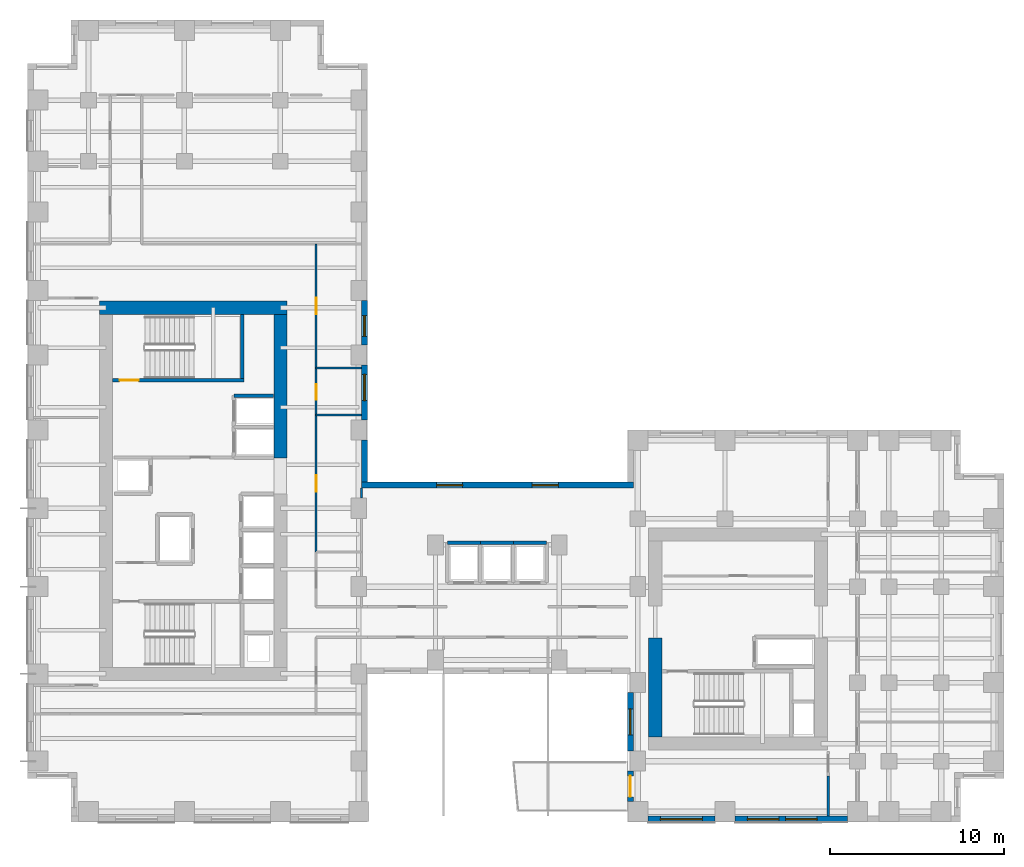
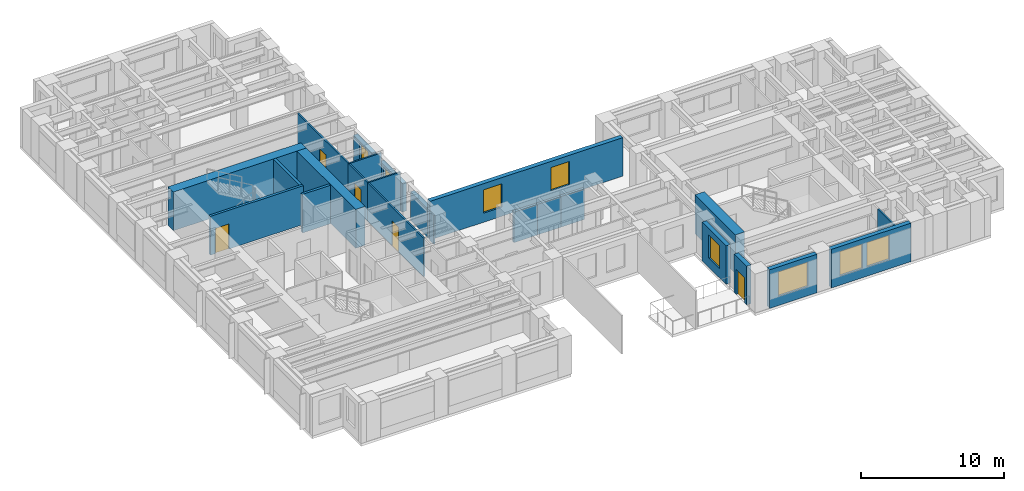
# One storey, part 6 of 12: 24 walls, 8 windows, 5 doors, 13 openings.
"""IFC4 building model written with IfcOpenShell, lengths in metres."""

from ifc_helpers import new_model, si_unit, direction, frame, frame_2d, origin, place, context, subcontext, project, spatial, rectangle, extrude, source, transform, mapped, material, layer, layer_set, type_object, element, fill, save


model = new_model("IFC4")

# Units and contexts
model_context = context("Model", 3, precision=1e-05, world=origin(), true_north=direction((0.0, 1.0)))
body_context = subcontext(model_context, "Body", "Model", "MODEL_VIEW")
ifc_project = project(units=[si_unit("LENGTHUNIT", "METRE"), si_unit("AREAUNIT", "SQUARE_METRE"), si_unit("VOLUMEUNIT", "CUBIC_METRE"), si_unit("PLANEANGLEUNIT", "RADIAN"), si_unit("MASSUNIT", "GRAM", prefix="KILO")], contexts=[model_context])

# Site, building, storey
site_placement = place(None, origin())
site = spatial("IfcSite", under=ifc_project, at=site_placement, CompositionType="ELEMENT")
building_placement = place(site_placement, origin())
building = spatial("IfcBuilding", under=site, at=building_placement, Name="Kharzan Plaza Tower", CompositionType="ELEMENT")
storey_placement = place(building_placement, frame((0.0, 0.0, 135.0)))
storey = spatial("IfcBuildingStorey", under=building, at=storey_placement, Name="L36", CompositionType="ELEMENT", Elevation=135.0)

# Wall, opening, window
ifc_material_1 = material(Name="Concrete C40/50", Category="concrete")
ifc_layer_1 = layer(ifc_material_1, 0.35009765625)
ifc_layer_set_1 = layer_set([ifc_layer_1], Name="Concrete C40/50")
wall_type_1 = type_object("IfcWallType", Name="WL-EXT-MAS-Z2", PredefinedType="SOLIDWALL", material=ifc_layer_set_1)
wall_1_placement = place(storey_placement, frame((19.324951171875, 23.072998046875, 0.0), z_axis=(0.0, 0.0, 1.0), x_axis=(0.0, 1.0, 0.0)))
wall_1 = element("IfcWall", 1, at=wall_1_placement, inside=storey, type_object=wall_type_1, Name="L36 Masonry-Frame Exterior Wall 02", PredefinedType="SOLIDWALL", context=body_context, shape_type="SweptSolid", body=[
    extrude(rectangle(XDim=3.154052734375, YDim=0.35009765625, at=frame_2d((1.5771484375, 0.0))), origin(), (0.0, 0.0, 1.0), 2.458984375),
])
opening_1_placement = place(wall_1_placement, frame((1.10546875, 0.0, 0.780029296875)))
opening_1 = element("IfcOpeningElement", 2, at=opening_1_placement, cuts=wall_1, Name="Opening W5", PredefinedType="OPENING", context=body_context, shape_type="SweptSolid", body=[
    extrude(rectangle(XDim=1.5, YDim=1.4990234375, at=frame_2d((0.75, 0.74951171875))), frame((0.0, 0.18505859375, 0.0), z_axis=(0.0, -1.0, 0.0), x_axis=(1.0, 0.0, 0.0)), (0.0, 0.0, 1.0), 0.3701171875),
])
ifc_material_2 = material(Name="Low-E Double Glazing", Category="glass")
window_type_1 = type_object("IfcWindowType", Name="WN-SLT-1500x2000", PartitioningType="SINGLE_PANEL", PredefinedType="WINDOW", material=ifc_material_2)
shared_shape_1 = source(origin(), body_context, "Body", "SweptSolid", [
    extrude(rectangle(XDim=1.5, YDim=1.4990234375, at=frame_2d((0.75, 0.74951171875))), frame((0.0, 0.030029296875, 0.0), z_axis=(0.0, -1.0, 0.0), x_axis=(1.0, 0.0, 0.0)), (0.0, 0.0, 1.0), 0.06005859375),
])
window_1_placement = place(opening_1_placement, origin())
window_1 = element("IfcWindow", 3, at=window_1_placement, inside=storey, type_object=window_type_1, Name="L36 Recessed Solar-Control Window 02-1", OverallHeight=1.4990234375, OverallWidth=1.5, PartitioningType="SINGLE_PANEL", PredefinedType="WINDOW", context=body_context, shape_type="MappedRepresentation", body=[
    mapped(shared_shape_1, transform((0.0, 0.0, 0.0), x_axis=(1.0, 0.0, 0.0), y_axis=(0.0, 1.0, 0.0), z_axis=(0.0, 0.0, 1.0))),
])
fill(opening_1, window_1)

wall_2_placement = place(storey_placement, frame((19.324951171875, 27.373046875, 0.0), z_axis=(0.0, 0.0, 1.0), x_axis=(0.0, 1.0, 0.0)))
wall_2 = element("IfcWall", 4, at=wall_2_placement, inside=storey, type_object=wall_type_1, Name="L36 Masonry-Frame Exterior Wall 03", PredefinedType="SOLIDWALL", context=body_context, shape_type="SweptSolid", body=[
    extrude(rectangle(XDim=2.553955078125, YDim=0.35009765625, at=frame_2d((1.27685546875, 0.0))), origin(), (0.0, 0.0, 1.0), 2.458984375),
])
opening_2_placement = place(wall_2_placement, frame((0.47998046875, 0.0, 0.780029296875)))
opening_2 = element("IfcOpeningElement", 5, at=opening_2_placement, cuts=wall_2, Name="Opening W3", PredefinedType="OPENING", context=body_context, shape_type="SweptSolid", body=[
    extrude(rectangle(XDim=1.199951171875, YDim=1.4990234375, at=frame_2d((0.60009765625, 0.74951171875))), frame((0.0, 0.18505859375, 0.0), z_axis=(0.0, -1.0, 0.0), x_axis=(1.0, 0.0, 0.0)), (0.0, 0.0, 1.0), 0.3701171875),
])
window_type_2 = type_object("IfcWindowType", Name="WN-REC-1200x2100", PartitioningType="SINGLE_PANEL", PredefinedType="WINDOW", material=ifc_material_2)
shared_shape_2 = source(origin(), body_context, "Body", "SweptSolid", [
    extrude(rectangle(XDim=1.199951171875, YDim=1.4990234375, at=frame_2d((0.60009765625, 0.74951171875))), frame((0.0, 0.030029296875, 0.0), z_axis=(0.0, -1.0, 0.0), x_axis=(1.0, 0.0, 0.0)), (0.0, 0.0, 1.0), 0.06005859375),
])
window_2_placement = place(opening_2_placement, origin())
window_2 = element("IfcWindow", 6, at=window_2_placement, inside=storey, type_object=window_type_2, Name="L36 Recessed Solar-Control Window 03-1", OverallHeight=1.4990234375, OverallWidth=1.199951171875, PartitioningType="SINGLE_PANEL", PredefinedType="WINDOW", context=body_context, shape_type="MappedRepresentation", body=[
    mapped(shared_shape_2, transform((0.0, 0.0, 0.0), x_axis=(1.0, 0.0, 0.0), y_axis=(0.0, 1.0, 0.0), z_axis=(0.0, 0.0, 1.0))),
])
fill(opening_2, window_2)

wall_3_placement = place(storey_placement, frame((34.574951171875, 7.427001953125, 0.0), z_axis=(0.0, 0.0, 1.0), x_axis=(0.0, -1.0, 0.0)))
wall_3 = element("IfcWall", 7, at=wall_3_placement, inside=storey, type_object=wall_type_1, Name="L36 Masonry-Frame Exterior Wall 37", PredefinedType="SOLIDWALL", context=body_context, shape_type="SweptSolid", body=[
    extrude(rectangle(XDim=3.35400390625, YDim=0.35009765625, at=frame_2d((1.677001953125, 0.0))), origin(), (0.0, 0.0, 1.0), 3.304931640625),
])
opening_3_placement = place(wall_3_placement, frame((0.927001953125, 0.0, 0.780029296875)))
opening_3 = element("IfcOpeningElement", 8, at=opening_3_placement, cuts=wall_3, Name="Opening W5", PredefinedType="OPENING", context=body_context, shape_type="SweptSolid", body=[
    extrude(rectangle(XDim=1.5, YDim=2.0, at=frame_2d((0.75, 1.0))), frame((0.0, 0.18505859375, 0.0), z_axis=(0.0, -1.0, 0.0), x_axis=(1.0, 0.0, 0.0)), (0.0, 0.0, 1.0), 0.3701171875),
])
shared_shape_3 = source(origin(), body_context, "Body", "SweptSolid", [
    extrude(rectangle(XDim=1.5, YDim=2.0, at=frame_2d((0.75, 1.0))), frame((0.0, 0.030029296875, 0.0), z_axis=(0.0, -1.0, 0.0), x_axis=(1.0, 0.0, 0.0)), (0.0, 0.0, 1.0), 0.06005859375),
])
window_3_placement = place(opening_3_placement, origin())
window_3 = element("IfcWindow", 9, at=window_3_placement, inside=storey, type_object=window_type_1, Name="L36 Recessed Solar-Control Window 37-1", OverallHeight=2.0, OverallWidth=1.5, PartitioningType="SINGLE_PANEL", PredefinedType="WINDOW", context=body_context, shape_type="MappedRepresentation", body=[
    mapped(shared_shape_3, transform((0.0, 0.0, 0.0), x_axis=(1.0, 0.0, 0.0), y_axis=(0.0, 1.0, 0.0), z_axis=(0.0, 0.0, 1.0))),
])
fill(opening_3, window_3)

# Wall, opening, door
wall_4_placement = place(storey_placement, frame((34.574951171875, 2.927001953125, 0.0), z_axis=(0.0, 0.0, 1.0), x_axis=(0.0, -1.0, 0.0)))
wall_4 = element("IfcWall", 10, at=wall_4_placement, inside=storey, type_object=wall_type_1, Name="L36 Masonry-Frame Exterior Wall 38", PredefinedType="SOLIDWALL", context=body_context, shape_type="SweptSolid", body=[
    extrude(rectangle(XDim=1.75390625, YDim=0.35009765625, at=frame_2d((0.876953125, 0.0))), origin(), (0.0, 0.0, 1.0), 3.304931640625),
])
opening_4_placement = place(wall_4_placement, frame((0.277099609375, 0.0, 0.0)))
opening_4 = element("IfcOpeningElement", 11, at=opening_4_placement, cuts=wall_4, Name="Opening ED3", PredefinedType="OPENING", context=body_context, shape_type="SweptSolid", body=[
    extrude(rectangle(XDim=1.199951171875, YDim=2.14990234375, at=frame_2d((0.60009765625, 1.074951171875))), frame((0.0, 0.18505859375, 0.0), z_axis=(0.0, -1.0, 0.0), x_axis=(1.0, 0.0, 0.0)), (0.0, 0.0, 1.0), 0.3701171875),
])
ifc_material_3 = material(Name="Thermally Broken Anodized Bronze Aluminium", Category="aluminium")
door_type_1 = type_object("IfcDoorType", Name="DR-EXT-TRAY-1200", OperationType="SINGLE_SWING_LEFT", PredefinedType="DOOR", material=ifc_material_3)
shared_shape_4 = source(origin(), body_context, "Body", "SweptSolid", [
    extrude(rectangle(XDim=1.199951171875, YDim=2.14990234375, at=frame_2d((0.60009765625, 1.074951171875))), frame((0.0, 0.02490234375, 0.0), z_axis=(0.0, -1.0, 0.0), x_axis=(1.0, 0.0, 0.0)), (0.0, 0.0, 1.0), 0.050048828125),
])
door_1_placement = place(opening_4_placement, frame((1.199951171875, 0.0, 0.0), z_axis=(0.0, 0.0, 1.0), x_axis=(-1.0, 0.0, 0.0)))
door_1 = element("IfcDoor", 12, at=door_1_placement, inside=storey, type_object=door_type_1, Name="L36 Cantilevered Sky-Terrace Tray Access Door", OperationType="SINGLE_SWING_LEFT", OverallHeight=2.14990234375, OverallWidth=1.199951171875, PredefinedType="DOOR", context=body_context, shape_type="MappedRepresentation", body=[
    mapped(shared_shape_4, transform((0.0, 0.0, 0.0), x_axis=(1.0, 0.0, 0.0), y_axis=(0.0, 1.0, 0.0), z_axis=(0.0, 0.0, 1.0))),
])
fill(opening_4, door_1)

# Wall, opening, window
wall_5_placement = place(storey_placement, frame((35.572998046875, 0.175048828125, 0.0), z_axis=(0.0, 0.0, 1.0), x_axis=(1.0, 0.0, 0.0)))
wall_5 = element("IfcWall", 13, at=wall_5_placement, inside=storey, type_object=wall_type_1, Name="L36 Masonry-Frame Exterior Wall 39", PredefinedType="SOLIDWALL", context=body_context, shape_type="SweptSolid", body=[
    extrude(rectangle(XDim=3.85400390625, YDim=0.35009765625, at=frame_2d((1.927001953125, 0.0))), origin(), (0.0, 0.0, 1.0), 3.304931640625),
])
opening_5_placement = place(wall_5_placement, frame((0.72705078125, 0.0, 0.780029296875)))
opening_5 = element("IfcOpeningElement", 14, at=opening_5_placement, cuts=wall_5, Name="Opening W2", PredefinedType="OPENING", context=body_context, shape_type="SweptSolid", body=[
    extrude(rectangle(XDim=2.39990234375, YDim=2.10009765625, at=frame_2d((1.199951171875, 1.050048828125))), frame((0.0, 0.18505859375, 0.0), z_axis=(0.0, -1.0, 0.0), x_axis=(1.0, 0.0, 0.0)), (0.0, 0.0, 1.0), 0.3701171875),
])
window_type_3 = type_object("IfcWindowType", Name="WN-REC-2400x2100", PartitioningType="SINGLE_PANEL", PredefinedType="WINDOW", material=ifc_material_2)
shared_shape_5 = source(origin(), body_context, "Body", "SweptSolid", [
    extrude(rectangle(XDim=2.39990234375, YDim=2.10009765625, at=frame_2d((1.199951171875, 1.050048828125))), frame((0.0, 0.030029296875, 0.0), z_axis=(0.0, -1.0, 0.0), x_axis=(1.0, 0.0, 0.0)), (0.0, 0.0, 1.0), 0.06005859375),
])
window_4_placement = place(opening_5_placement, origin())
window_4 = element("IfcWindow", 15, at=window_4_placement, inside=storey, type_object=window_type_3, Name="L36 Wide Recessed Solar-Control Window 39-1", OverallHeight=2.10009765625, OverallWidth=2.39990234375, PartitioningType="SINGLE_PANEL", PredefinedType="WINDOW", context=body_context, shape_type="MappedRepresentation", body=[
    mapped(shared_shape_5, transform((0.0, 0.0, 0.0), x_axis=(1.0, 0.0, 0.0), y_axis=(0.0, 1.0, 0.0), z_axis=(0.0, 0.0, 1.0))),
])
fill(opening_5, window_4)

# Wall, openings, windows
wall_6_placement = place(storey_placement, frame((40.572998046875, 0.175048828125, 0.0), z_axis=(0.0, 0.0, 1.0), x_axis=(1.0, 0.0, 0.0)))
wall_6 = element("IfcWall", 16, at=wall_6_placement, inside=storey, type_object=wall_type_1, Name="L36 Masonry-Frame Exterior Wall 40", PredefinedType="SOLIDWALL", context=body_context, shape_type="SweptSolid", body=[
    extrude(rectangle(XDim=6.4541015625, YDim=0.35009765625, at=frame_2d((3.22705078125, 0.0))), origin(), (0.0, 0.0, 1.0), 3.304931640625),
])
opening_6_placement = place(wall_6_placement, frame((0.71240234375, 0.0, 0.780029296875)))
opening_6 = element("IfcOpeningElement", 17, at=opening_6_placement, cuts=wall_6, Name="Opening W1", PredefinedType="OPENING", context=body_context, shape_type="SweptSolid", body=[
    extrude(rectangle(XDim=1.800048828125, YDim=2.10009765625, at=frame_2d((0.89990234375, 1.050048828125))), frame((0.0, 0.18505859375, 0.0), z_axis=(0.0, -1.0, 0.0), x_axis=(1.0, 0.0, 0.0)), (0.0, 0.0, 1.0), 0.3701171875),
])
opening_7_placement = place(wall_6_placement, frame((2.90478515625, 0.0, 0.780029296875)))
opening_7 = element("IfcOpeningElement", 18, at=opening_7_placement, cuts=wall_6, Name="Opening W1", PredefinedType="OPENING", context=body_context, shape_type="SweptSolid", body=[
    extrude(rectangle(XDim=1.800048828125, YDim=2.10009765625, at=frame_2d((0.89990234375, 1.050048828125))), frame((0.0, 0.18505859375, 0.0), z_axis=(0.0, -1.0, 0.0), x_axis=(1.0, 0.0, 0.0)), (0.0, 0.0, 1.0), 0.3701171875),
])
window_type_4 = type_object("IfcWindowType", Name="WN-REC-1800x2100", PartitioningType="SINGLE_PANEL", PredefinedType="WINDOW", material=ifc_material_2)
shared_shape_6 = source(origin(), body_context, "Body", "SweptSolid", [
    extrude(rectangle(XDim=1.800048828125, YDim=2.10009765625, at=frame_2d((0.89990234375, 1.050048828125))), frame((0.0, 0.030029296875, 0.0), z_axis=(0.0, -1.0, 0.0), x_axis=(1.0, 0.0, 0.0)), (0.0, 0.0, 1.0), 0.06005859375),
])
window_5_placement = place(opening_6_placement, origin())
window_5 = element("IfcWindow", 19, at=window_5_placement, inside=storey, type_object=window_type_4, Name="L36 Recessed Solar-Control Window 40-1", OverallHeight=2.10009765625, OverallWidth=1.800048828125, PartitioningType="SINGLE_PANEL", PredefinedType="WINDOW", context=body_context, shape_type="MappedRepresentation", body=[
    mapped(shared_shape_6, transform((0.0, 0.0, 0.0), x_axis=(1.0, 0.0, 0.0), y_axis=(0.0, 1.0, 0.0), z_axis=(0.0, 0.0, 1.0))),
])
fill(opening_6, window_5)
window_6_placement = place(opening_7_placement, origin())
window_6 = element("IfcWindow", 20, at=window_6_placement, inside=storey, type_object=window_type_4, Name="L36 Recessed Solar-Control Window 40-2", OverallHeight=2.10009765625, OverallWidth=1.800048828125, PartitioningType="SINGLE_PANEL", PredefinedType="WINDOW", context=body_context, shape_type="MappedRepresentation", body=[
    mapped(shared_shape_6, transform((0.0, 0.0, 0.0), x_axis=(1.0, 0.0, 0.0), y_axis=(0.0, 1.0, 0.0), z_axis=(0.0, 0.0, 1.0))),
])
fill(opening_7, window_6)

wall_7_placement = place(storey_placement, frame((34.75, 19.324951171875, 0.0), z_axis=(0.0, 0.0, 1.0), x_axis=(-1.0, 0.0, 0.0)))
wall_7 = element("IfcWall", 21, at=wall_7_placement, inside=storey, type_object=wall_type_1, Name="L36 Masonry-Frame Exterior Wall 58", PredefinedType="SOLIDWALL", context=body_context, shape_type="SweptSolid", body=[
    extrude(rectangle(XDim=15.60009765625, YDim=0.35009765625, at=frame_2d((7.800048828125, 0.0))), origin(), (0.0, 0.0, 1.0), 3.304931640625),
])
opening_8_placement = place(wall_7_placement, frame((4.306640625, 0.0, 0.780029296875)))
opening_8 = element("IfcOpeningElement", 22, at=opening_8_placement, cuts=wall_7, Name="Opening W5", PredefinedType="OPENING", context=body_context, shape_type="SweptSolid", body=[
    extrude(rectangle(XDim=1.5, YDim=2.0, at=frame_2d((0.75, 1.0))), frame((0.0, 0.18505859375, 0.0), z_axis=(0.0, -1.0, 0.0), x_axis=(1.0, 0.0, 0.0)), (0.0, 0.0, 1.0), 0.3701171875),
])
opening_9_placement = place(wall_7_placement, frame((9.793212890625, 0.0, 0.780029296875)))
opening_9 = element("IfcOpeningElement", 23, at=opening_9_placement, cuts=wall_7, Name="Opening W5", PredefinedType="OPENING", context=body_context, shape_type="SweptSolid", body=[
    extrude(rectangle(XDim=1.5, YDim=2.0, at=frame_2d((0.75, 1.0))), frame((0.0, 0.18505859375, 0.0), z_axis=(0.0, -1.0, 0.0), x_axis=(1.0, 0.0, 0.0)), (0.0, 0.0, 1.0), 0.3701171875),
])
window_7_placement = place(opening_8_placement, origin())
window_7 = element("IfcWindow", 24, at=window_7_placement, inside=storey, type_object=window_type_1, Name="L36 Recessed Solar-Control Window 58-1", OverallHeight=2.0, OverallWidth=1.5, PartitioningType="SINGLE_PANEL", PredefinedType="WINDOW", context=body_context, shape_type="MappedRepresentation", body=[
    mapped(shared_shape_3, transform((0.0, 0.0, 0.0), x_axis=(1.0, 0.0, 0.0), y_axis=(0.0, 1.0, 0.0), z_axis=(0.0, 0.0, 1.0))),
])
fill(opening_8, window_7)
window_8_placement = place(opening_9_placement, origin())
window_8 = element("IfcWindow", 25, at=window_8_placement, inside=storey, type_object=window_type_1, Name="L36 Recessed Solar-Control Window 58-2", OverallHeight=2.0, OverallWidth=1.5, PartitioningType="SINGLE_PANEL", PredefinedType="WINDOW", context=body_context, shape_type="MappedRepresentation", body=[
    mapped(shared_shape_3, transform((0.0, 0.0, 0.0), x_axis=(1.0, 0.0, 0.0), y_axis=(0.0, 1.0, 0.0), z_axis=(0.0, 0.0, 1.0))),
])
fill(opening_9, window_8)

# Wall, opening, door
ifc_material_4 = material(Name="Fire-Rated Gypsum Board Partition", Category="gypsum")
ifc_layer_2 = layer(ifc_material_4, 0.125)
ifc_layer_set_2 = layer_set([ifc_layer_2], Name="Fire-Rated Gypsum Board Partition")
wall_type_2 = type_object("IfcWallType", Name="WL-INT-PART-125", PredefinedType="PARTITIONING", material=ifc_layer_set_2)
wall_8_placement = place(storey_placement, frame((16.550048828125, 15.5, 0.0), z_axis=(0.0, 0.0, 1.0), x_axis=(0.0, 1.0, 0.0)))
wall_8 = element("IfcWall", 26, at=wall_8_placement, inside=storey, type_object=wall_type_2, Name="L36 Interior Partition SH-AEWN2", PredefinedType="PARTITIONING", context=body_context, shape_type="SweptSolid", body=[
    extrude(rectangle(XDim=7.85009765625, YDim=0.125, at=frame_2d((3.925048828125, 0.0))), origin(), (0.0, 0.0, 1.0), 3.304931640625),
])
opening_10_placement = place(wall_8_placement, frame((3.449951171875, 0.0, 0.0)))
opening_10 = element("IfcOpeningElement", 27, at=opening_10_placement, cuts=wall_8, Name="Opening OD1", PredefinedType="OPENING", context=body_context, shape_type="SweptSolid", body=[
    extrude(rectangle(XDim=0.949951171875, YDim=2.14990234375, at=frame_2d((0.47509765625, 1.074951171875))), frame((0.0, 0.072509765625, 0.0), z_axis=(0.0, -1.0, 0.0), x_axis=(1.0, 0.0, 0.0)), (0.0, 0.0, 1.0), 0.14501953125),
])
ifc_material_5 = material(Name="Acoustic Solid-Core Stained Oak", Category="timber")
door_type_2 = type_object("IfcDoorType", Name="DR-OFF-SINGLE", OperationType="NOTDEFINED", PredefinedType="DOOR", material=ifc_material_5)
shared_shape_7 = source(origin(), body_context, "Body", "SweptSolid", [
    extrude(rectangle(XDim=0.949951171875, YDim=2.14990234375, at=frame_2d((0.47509765625, 1.074951171875))), frame((0.0, 0.02490234375, 0.0), z_axis=(0.0, -1.0, 0.0), x_axis=(1.0, 0.0, 0.0)), (0.0, 0.0, 1.0), 0.050048828125),
])
door_2_placement = place(opening_10_placement, origin())
door_2 = element("IfcDoor", 28, at=door_2_placement, inside=storey, type_object=door_type_2, Name="L36 Slot Studio Door", OperationType="SINGLE_SWING_RIGHT", OverallHeight=2.14990234375, OverallWidth=0.949951171875, PredefinedType="DOOR", context=body_context, shape_type="MappedRepresentation", body=[
    mapped(shared_shape_7, transform((0.0, 0.0, 0.0), x_axis=(1.0, 0.0, 0.0), y_axis=(0.0, 1.0, 0.0), z_axis=(0.0, 0.0, 1.0))),
])
fill(opening_10, door_2)

wall_9_placement = place(storey_placement, frame((16.550048828125, 26.050048828125, 0.0), z_axis=(0.0, 0.0, 1.0), x_axis=(0.0, 1.0, 0.0)))
wall_9 = element("IfcWall", 29, at=wall_9_placement, inside=storey, type_object=wall_type_2, Name="L36 Interior Partition SH-AEWN3", PredefinedType="PARTITIONING", context=body_context, shape_type="SweptSolid", body=[
    extrude(rectangle(XDim=7.099853515625, YDim=0.125, at=frame_2d((3.5498046875, 0.0))), origin(), (0.0, 0.0, 1.0), 3.304931640625),
])
opening_11_placement = place(wall_9_placement, frame((3.074951171875, 0.0, 0.0)))
opening_11 = element("IfcOpeningElement", 30, at=opening_11_placement, cuts=wall_9, Name="Opening OD1", PredefinedType="OPENING", context=body_context, shape_type="SweptSolid", body=[
    extrude(rectangle(XDim=0.949951171875, YDim=2.14990234375, at=frame_2d((0.47509765625, 1.074951171875))), frame((0.0, 0.072509765625, 0.0), z_axis=(0.0, -1.0, 0.0), x_axis=(1.0, 0.0, 0.0)), (0.0, 0.0, 1.0), 0.14501953125),
])
door_3_placement = place(opening_11_placement, origin())
door_3 = element("IfcDoor", 31, at=door_3_placement, inside=storey, type_object=door_type_2, Name="L36 Staff Tea Point Door", OperationType="SINGLE_SWING_RIGHT", OverallHeight=2.14990234375, OverallWidth=0.949951171875, PredefinedType="DOOR", context=body_context, shape_type="MappedRepresentation", body=[
    mapped(shared_shape_7, transform((0.0, 0.0, 0.0), x_axis=(1.0, 0.0, 0.0), y_axis=(0.0, 1.0, 0.0), z_axis=(0.0, 0.0, 1.0))),
])
fill(opening_11, door_3)

wall_10_placement = place(storey_placement, frame((16.550048828125, 23.35009765625, 0.0), z_axis=(0.0, 0.0, 1.0), x_axis=(0.0, 1.0, 0.0)))
wall_10 = element("IfcWall", 32, at=wall_10_placement, inside=storey, type_object=wall_type_2, Name="L36 Interior Partition SH-AEWW", PredefinedType="PARTITIONING", context=body_context, shape_type="SweptSolid", body=[
    extrude(rectangle(XDim=2.699951171875, YDim=0.125, at=frame_2d((1.35009765625, 0.0))), origin(), (0.0, 0.0, 1.0), 3.304931640625),
])
opening_12_placement = place(wall_10_placement, frame((0.875, 0.0, 0.0)))
opening_12 = element("IfcOpeningElement", 33, at=opening_12_placement, cuts=wall_10, Name="Opening WD1", PredefinedType="OPENING", context=body_context, shape_type="SweptSolid", body=[
    extrude(rectangle(XDim=0.89990234375, YDim=2.14990234375, at=frame_2d((0.449951171875, 1.074951171875))), frame((0.0, 0.072509765625, 0.0), z_axis=(0.0, -1.0, 0.0), x_axis=(1.0, 0.0, 0.0)), (0.0, 0.0, 1.0), 0.14501953125),
])
ifc_material_6 = material(Name="Moisture-Resistant Fire-Rated Laminate", Category="timber")
door_type_3 = type_object("IfcDoorType", Name="DR-WC-900", OperationType="NOTDEFINED", PredefinedType="DOOR", material=ifc_material_6)
shared_shape_8 = source(origin(), body_context, "Body", "SweptSolid", [
    extrude(rectangle(XDim=0.89990234375, YDim=2.14990234375, at=frame_2d((0.449951171875, 1.074951171875))), frame((0.0, 0.02490234375, 0.0), z_axis=(0.0, -1.0, 0.0), x_axis=(1.0, 0.0, 0.0)), (0.0, 0.0, 1.0), 0.050048828125),
])
door_4_placement = place(opening_12_placement, origin())
door_4 = element("IfcDoor", 34, at=door_4_placement, inside=storey, type_object=door_type_3, Name="L36 Wing A Washroom Door", OperationType="SINGLE_SWING_LEFT", OverallHeight=2.14990234375, OverallWidth=0.89990234375, PredefinedType="DOOR", context=body_context, shape_type="MappedRepresentation", body=[
    mapped(shared_shape_8, transform((0.0, 0.0, 0.0), x_axis=(1.0, 0.0, 0.0), y_axis=(0.0, 1.0, 0.0), z_axis=(0.0, 0.0, 1.0))),
])
fill(opening_12, door_4)

ifc_material_7 = material(Name="Concrete C50/60", Category="concrete")
ifc_layer_3 = layer(ifc_material_7, 0.199951171875)
ifc_layer_set_3 = layer_set([ifc_layer_3], Name="Concrete C50/60")
wall_type_3 = type_object("IfcWallType", Name="WL-SHAFT-RC200", PredefinedType="SHEAR", material=ifc_layer_set_3)
wall_11_placement = place(storey_placement, frame((4.876953125, 25.344970703125, 0.0), z_axis=(0.0, 0.0, 1.0), x_axis=(1.0, 0.0, 0.0)))
wall_11 = element("IfcWall", 35, at=wall_11_placement, inside=storey, type_object=wall_type_3, Name="L36 Stair ST-2 South RC Shaft Wall", PredefinedType="SHEAR", context=body_context, shape_type="SweptSolid", body=[
    extrude(rectangle(XDim=7.528076171875, YDim=0.199951171875, at=frame_2d((3.76416015625, 0.0))), origin(), (0.0, 0.0, 1.0), 3.320068359375),
])
opening_13_placement = place(wall_11_placement, frame((0.39990234375, 0.0, 0.0)))
opening_13 = element("IfcOpeningElement", 36, at=opening_13_placement, cuts=wall_11, Name="Opening SD1", PredefinedType="OPENING", context=body_context, shape_type="SweptSolid", body=[
    extrude(rectangle(XDim=1.10009765625, YDim=2.14990234375, at=frame_2d((0.550048828125, 1.074951171875))), frame((0.0, 0.10986328125, 0.0), z_axis=(0.0, -1.0, 0.0), x_axis=(1.0, 0.0, 0.0)), (0.0, 0.0, 1.0), 0.219970703125),
])
ifc_material_8 = material(Name="Fire-Rated Hollow Galvanized Steel", Category="steel")
door_type_4 = type_object("IfcDoorType", Name="DR-STAIR-FD120", OperationType="NOTDEFINED", PredefinedType="DOOR", material=ifc_material_8)
shared_shape_9 = source(origin(), body_context, "Body", "SweptSolid", [
    extrude(rectangle(XDim=1.10009765625, YDim=2.14990234375, at=frame_2d((0.550048828125, 1.074951171875))), frame((0.0, 0.02490234375, 0.0), z_axis=(0.0, -1.0, 0.0), x_axis=(1.0, 0.0, 0.0)), (0.0, 0.0, 1.0), 0.050048828125),
])
door_5_placement = place(opening_13_placement, origin())
door_5 = element("IfcDoor", 37, at=door_5_placement, inside=storey, type_object=door_type_4, Name="L36 Stair ST-2 Fire Exit Door", OperationType="SINGLE_SWING_RIGHT", OverallHeight=2.14990234375, OverallWidth=1.10009765625, PredefinedType="DOOR", context=body_context, shape_type="MappedRepresentation", body=[
    mapped(shared_shape_9, transform((0.0, 0.0, 0.0), x_axis=(1.0, 0.0, 0.0), y_axis=(0.0, 1.0, 0.0), z_axis=(0.0, 0.0, 1.0))),
])
fill(opening_13, door_5)

# Walls
shared_shape_10 = source(origin(), body_context, "Body", "SweptSolid", [
    extrude(rectangle(XDim=2.597900390625, YDim=0.125, at=frame_2d((1.298828125, 0.0))), origin(), (0.0, 0.0, 1.0), 3.304931640625),
])
for number, where, z_axis, x_axis, name in (
    (38, (16.550048828125, 23.35009765625, 0.0), (0.0, 0.0, 1.0), (1.0, 0.0, 0.0), "L36 Interior Partition SH-AEH-233"),
    (39, (16.550048828125, 26.050048828125, 0.0), (0.0, 0.0, 1.0), (1.0, 0.0, 0.0), "L36 Interior Partition SH-AEH-260"),
):
    element("IfcWall", number, at=place(storey_placement, frame(where, z_axis=z_axis, x_axis=x_axis)), inside=storey, type_object=wall_type_2, Name=name, PredefinedType="PARTITIONING", context=body_context, shape_type="MappedRepresentation", body=[
        mapped(shared_shape_10, transform((0.0, 0.0, 0.0), x_axis=(1.0, 0.0, 0.0), y_axis=(0.0, 1.0, 0.0), z_axis=(0.0, 0.0, 1.0))),
    ])
shared_shape_11 = source(origin(), body_context, "Body", "SweptSolid", [
    extrude(rectangle(XDim=2.2978515625, YDim=0.125, at=frame_2d((1.14892578125, 0.0))), origin(), (0.0, 0.0, 1.0), 3.304931640625),
])
wall_12_placement = place(storey_placement, frame((45.919921875, 0.35205078125, 0.0), z_axis=(0.0, 0.0, 1.0), x_axis=(0.0, 1.0, 0.0)))
element("IfcWall", 40, at=wall_12_placement, inside=storey, type_object=wall_type_2, Name="L36 Interior Partition SH-RBSE0", PredefinedType="PARTITIONING", context=body_context, shape_type="MappedRepresentation", body=[
    mapped(shared_shape_11, transform((0.0, 0.0, 0.0), x_axis=(1.0, 0.0, 0.0), y_axis=(0.0, 1.0, 0.0), z_axis=(0.0, 0.0, 1.0))),
])
ifc_material_9 = material(Name="Concrete C60/75", Category="concrete")
ifc_layer_4 = layer(ifc_material_9, 0.75)
ifc_layer_set_4 = layer_set([ifc_layer_4], Name="Concrete C60/75")
wall_type_4 = type_object("IfcWallType", Name="WL-CORE-750", PredefinedType="SHEAR", material=ifc_layer_set_4)
shared_shape_12 = source(origin(), body_context, "Body", "SweptSolid", [
    extrude(rectangle(XDim=8.2451171875, YDim=0.75, at=frame_2d((4.12255859375, 0.0))), origin(), (0.0, 0.0, 1.0), 3.320068359375),
])
wall_13_placement = place(storey_placement, frame((14.5, 20.8798828125, 0.0), z_axis=(0.0, 0.0, 1.0), x_axis=(0.0, 1.0, 0.0)))
element("IfcWall", 41, at=wall_13_placement, inside=storey, type_object=wall_type_4, Name="L36 CORE-A east shear pier 2", PredefinedType="SHEAR", context=body_context, shape_type="MappedRepresentation", body=[
    mapped(shared_shape_12, transform((0.0, 0.0, 0.0), x_axis=(1.0, 0.0, 0.0), y_axis=(0.0, 1.0, 0.0), z_axis=(0.0, 0.0, 1.0))),
])
shared_shape_13 = source(origin(), body_context, "Body", "SweptSolid", [
    extrude(rectangle(XDim=10.75, YDim=0.75, at=frame_2d((5.375, 0.0))), origin(), (0.0, 0.0, 1.0), 3.320068359375),
])
wall_14_placement = place(storey_placement, frame((4.125, 29.5, 0.0), z_axis=(0.0, 0.0, 1.0), x_axis=(1.0, 0.0, 0.0)))
element("IfcWall", 42, at=wall_14_placement, inside=storey, type_object=wall_type_4, Name="L36 CORE-A north RC shear wall", PredefinedType="SHEAR", context=body_context, shape_type="MappedRepresentation", body=[
    mapped(shared_shape_13, transform((0.0, 0.0, 0.0), x_axis=(1.0, 0.0, 0.0), y_axis=(0.0, 1.0, 0.0), z_axis=(0.0, 0.0, 1.0))),
])
shared_shape_14 = source(origin(), body_context, "Body", "SweptSolid", [
    extrude(rectangle(XDim=5.675048828125, YDim=0.75, at=frame_2d((2.83740234375, 0.0))), origin(), (0.0, 0.0, 1.0), 3.320068359375),
])
wall_15_placement = place(storey_placement, frame((36.0, 4.875, 0.0), z_axis=(0.0, 0.0, 1.0), x_axis=(0.0, 1.0, 0.0)))
element("IfcWall", 43, at=wall_15_placement, inside=storey, type_object=wall_type_4, Name="L36 CORE-B west shear pier 1", PredefinedType="SHEAR", context=body_context, shape_type="MappedRepresentation", body=[
    mapped(shared_shape_14, transform((0.0, 0.0, 0.0), x_axis=(1.0, 0.0, 0.0), y_axis=(0.0, 1.0, 0.0), z_axis=(0.0, 0.0, 1.0))),
])
shared_shape_15 = source(origin(), body_context, "Body", "SweptSolid", [
    extrude(rectangle(XDim=2.428955078125, YDim=0.35009765625, at=frame_2d((1.21435546875, 0.0))), origin(), (0.0, 0.0, 1.0), 2.458984375),
])
wall_16_placement = place(storey_placement, frame((19.324951171875, 19.498046875, 0.0), z_axis=(0.0, 0.0, 1.0), x_axis=(0.0, 1.0, 0.0)))
element("IfcWall", 44, at=wall_16_placement, inside=storey, type_object=wall_type_1, Name="L36 Masonry-Frame Exterior Wall 01", PredefinedType="SOLIDWALL", context=body_context, shape_type="MappedRepresentation", body=[
    mapped(shared_shape_15, transform((0.0, 0.0, 0.0), x_axis=(1.0, 0.0, 0.0), y_axis=(0.0, 1.0, 0.0), z_axis=(0.0, 0.0, 1.0))),
])
shared_shape_16 = source(origin(), body_context, "Body", "SweptSolid", [
    extrude(rectangle(XDim=0.557861328125, YDim=0.125, at=frame_2d((0.27880859375, 0.0))), origin(), (0.0, 0.0, 1.0), 2.458984375),
])
wall_17_placement = place(storey_placement, frame((19.14990234375, 18.590087890625, 0.0), z_axis=(0.0, 0.0, 1.0), x_axis=(0.0, 1.0, 0.0)))
element("IfcWall", 45, at=wall_17_placement, inside=storey, type_object=wall_type_2, Name="L36 Interior Partition SH-AEN-DIV-S3", PredefinedType="PARTITIONING", context=body_context, shape_type="MappedRepresentation", body=[
    mapped(shared_shape_16, transform((0.0, 0.0, 0.0), x_axis=(1.0, 0.0, 0.0), y_axis=(0.0, 1.0, 0.0), z_axis=(0.0, 0.0, 1.0))),
])
ifc_layer_5 = layer(ifc_material_1, 0.199951171875)
ifc_layer_set_5 = layer_set([ifc_layer_5], Name="Concrete C40/50")
wall_type_5 = type_object("IfcWallType", Name="WL-INT-SHAFT-200", PredefinedType="PARTITIONING", material=ifc_layer_set_5)
shared_shape_17 = source(origin(), body_context, "Body", "SweptSolid", [
    extrude(rectangle(XDim=2.264892578125, YDim=0.199951171875, at=frame_2d((1.13232421875, 0.0))), origin(), (0.0, 0.0, 1.0), 3.304931640625),
])
wall_18_placement = place(storey_placement, frame((11.830078125, 24.4599609375, 0.0), z_axis=(0.0, 0.0, 1.0), x_axis=(1.0, 0.0, 0.0)))
element("IfcWall", 46, at=wall_18_placement, inside=storey, type_object=wall_type_5, Name="L36 Interior Partition SHF-FFL-2-N", PredefinedType="PARTITIONING", context=body_context, shape_type="MappedRepresentation", body=[
    mapped(shared_shape_17, transform((0.0, 0.0, 0.0), x_axis=(1.0, 0.0, 0.0), y_axis=(0.0, 1.0, 0.0), z_axis=(0.0, 0.0, 1.0))),
])
shared_shape_18 = source(origin(), body_context, "Body", "SweptSolid", [
    extrude(rectangle(XDim=1.889892578125, YDim=0.199951171875, at=frame_2d((0.94482421875, 0.0))), origin(), (0.0, 0.0, 1.0), 2.616943359375),
])
wall_19_placement = place(storey_placement, frame((24.080078125, 16.02001953125, 0.0), z_axis=(0.0, 0.0, 1.0), x_axis=(1.0, 0.0, 0.0)))
element("IfcWall", 47, at=wall_19_placement, inside=storey, type_object=wall_type_5, Name="L36 Interior Partition SHF-PL-M1-N", PredefinedType="PARTITIONING", context=body_context, shape_type="MappedRepresentation", body=[
    mapped(shared_shape_18, transform((0.0, 0.0, 0.0), x_axis=(1.0, 0.0, 0.0), y_axis=(0.0, 1.0, 0.0), z_axis=(0.0, 0.0, 1.0))),
])
shared_shape_19 = source(origin(), body_context, "Body", "SweptSolid", [
    extrude(rectangle(XDim=1.89013671875, YDim=0.199951171875, at=frame_2d((0.945068359375, 0.0))), origin(), (0.0, 0.0, 1.0), 2.616943359375),
])
for number, where, z_axis, x_axis, name in (
    (48, (25.97998046875, 16.02001953125, 0.0), (0.0, 0.0, 1.0), (1.0, 0.0, 0.0), "L36 Interior Partition SHF-PL-M2-N"),
    (49, (27.8798828125, 16.02001953125, 0.0), (0.0, 0.0, 1.0), (1.0, 0.0, 0.0), "L36 Interior Partition SHF-PL-M3-N"),
):
    element("IfcWall", number, at=place(storey_placement, frame(where, z_axis=z_axis, x_axis=x_axis)), inside=storey, type_object=wall_type_5, Name=name, PredefinedType="PARTITIONING", context=body_context, shape_type="MappedRepresentation", body=[
        mapped(shared_shape_19, transform((0.0, 0.0, 0.0), x_axis=(1.0, 0.0, 0.0), y_axis=(0.0, 1.0, 0.0), z_axis=(0.0, 0.0, 1.0))),
    ])
shared_shape_20 = source(origin(), body_context, "Body", "SweptSolid", [
    extrude(rectangle(XDim=3.677978515625, YDim=0.199951171875, at=frame_2d((1.8388671875, 0.0))), origin(), (0.0, 0.0, 1.0), 3.320068359375),
])
wall_20_placement = place(storey_placement, frame((12.304931640625, 25.445068359375, 0.0), z_axis=(0.0, 0.0, 1.0), x_axis=(0.0, 1.0, 0.0)))
element("IfcWall", 50, at=wall_20_placement, inside=storey, type_object=wall_type_3, Name="L36 Stair ST-2 East RC Shaft Wall", PredefinedType="SHEAR", context=body_context, shape_type="MappedRepresentation", body=[
    mapped(shared_shape_20, transform((0.0, 0.0, 0.0), x_axis=(1.0, 0.0, 0.0), y_axis=(0.0, 1.0, 0.0), z_axis=(0.0, 0.0, 1.0))),
])

save(model, "model.ifc")
